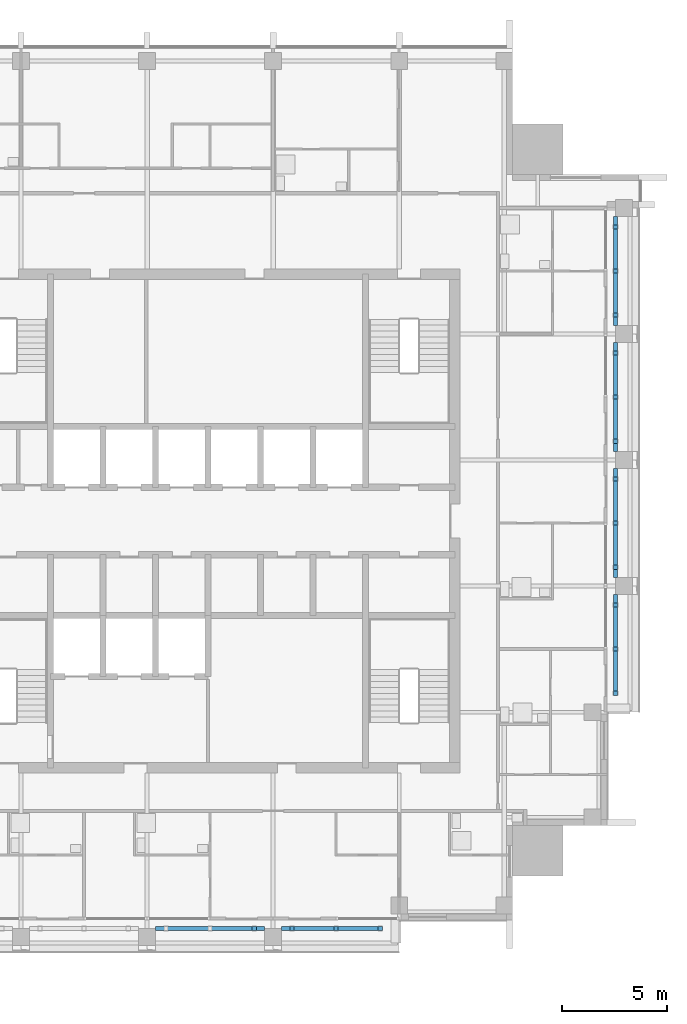
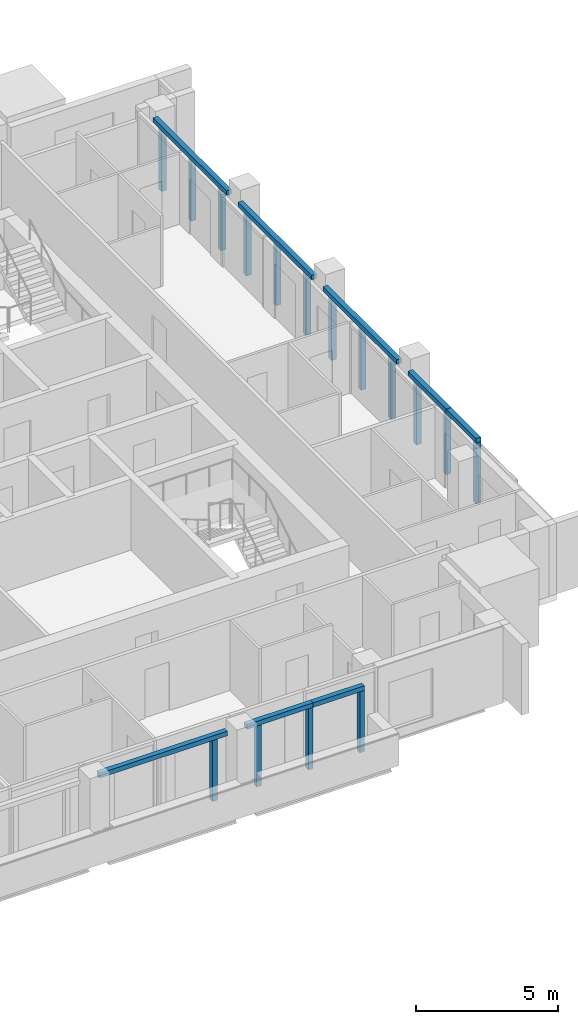
# One storey, part 12 of 15: 24 discrete accessories.
"""IFC4 building model written with IfcOpenShell, lengths in metres."""

from ifc_helpers import new_model, si_unit, direction, frame, origin, origin_2d, place, context, subcontext, project, spatial, rectangle, extrude, element, save


model = new_model("IFC4")

# Units and contexts
model_context = context("Model", 3, precision=1e-05, world=origin(), true_north=direction((0.0, 1.0)))
body_context = subcontext(model_context, "Body", "Model", "MODEL_VIEW")
ifc_project = project(units=[si_unit("LENGTHUNIT", "METRE"), si_unit("AREAUNIT", "SQUARE_METRE"), si_unit("VOLUMEUNIT", "CUBIC_METRE"), si_unit("PLANEANGLEUNIT", "RADIAN"), si_unit("MASSUNIT", "GRAM", prefix="KILO")], contexts=[model_context])

# Site, building, storey
site_placement = place(None, origin())
site = spatial("IfcSite", under=ifc_project, at=site_placement, CompositionType="ELEMENT")
building_placement = place(site_placement, origin())
building = spatial("IfcBuilding", under=site, at=building_placement, Name="Amberfall Residences", CompositionType="ELEMENT")
storey_placement = place(building_placement, frame((0.0, 0.0, 268.60009765625)))
storey = spatial("IfcBuildingStorey", under=building, at=storey_placement, Name="L72", CompositionType="ELEMENT", Elevation=268.60009765625)

# Discrete accessories
discrete_accessory_1_placement = place(storey_placement, frame((76.699951171875, 26.10009765625, 0.0), z_axis=(0.0, 0.0, 1.0), x_axis=(1.0, 0.0, 0.0)))
element("IfcDiscreteAccessory", 1, at=discrete_accessory_1_placement, inside=storey, Name="Trellis post L72 S3.3", ObjectType="TRELLIS POST", PredefinedType="USERDEFINED", context=body_context, shape_type="SweptSolid", body=[
    extrude(rectangle(XDim=0.199951171875, YDim=0.199951171875, at=origin_2d()), origin(), (0.0, 0.0, 1.0), 2.6298828125),
])
discrete_accessory_2_placement = place(storey_placement, frame((74.60009765625, 26.10009765625, 2.6298828125), z_axis=(0.0, 0.0, 1.0), x_axis=(1.0, 0.0, 0.0)))
element("IfcDiscreteAccessory", 2, at=discrete_accessory_2_placement, inside=storey, Name="Trellis beam L72 S3.e1", ObjectType="TRELLIS BEAM", PredefinedType="USERDEFINED", context=body_context, shape_type="SweptSolid", body=[
    extrude(rectangle(XDim=5.199951171875, YDim=0.199951171875, at=origin_2d()), origin(), (0.0, 0.0, 1.0), 0.199951171875),
])
for number, where, z_axis, x_axis, name in (
    (3, (78.5, 26.10009765625, 0.0), (0.0, 0.0, 1.0), (1.0, 0.0, 0.0), "Trellis post L72 S4.1"),
    (4, (80.60009765625, 26.10009765625, 0.0), (0.0, 0.0, 1.0), (1.0, 0.0, 0.0), "Trellis post L72 S4.2"),
    (5, (82.699951171875, 26.10009765625, 0.0), (0.0, 0.0, 1.0), (1.0, 0.0, 0.0), "Trellis post L72 S4.3"),
):
    element("IfcDiscreteAccessory", number, at=place(storey_placement, frame(where, z_axis=z_axis, x_axis=x_axis)), inside=storey, Name=name, ObjectType="TRELLIS POST", PredefinedType="USERDEFINED", context=body_context, shape_type="SweptSolid", body=[
        extrude(rectangle(XDim=0.199951171875, YDim=0.199951171875, at=origin_2d()), origin(), (0.0, 0.0, 1.0), 2.6298828125),
    ])
discrete_accessory_3_placement = place(storey_placement, frame((79.35009765625, 26.10009765625, 2.6298828125), z_axis=(0.0, 0.0, 1.0), x_axis=(1.0, 0.0, 0.0)))
element("IfcDiscreteAccessory", 6, at=discrete_accessory_3_placement, inside=storey, Name="Trellis beam L72 S4.e1", ObjectType="TRELLIS BEAM", PredefinedType="USERDEFINED", context=body_context, shape_type="SweptSolid", body=[
    extrude(rectangle(XDim=2.699951171875, YDim=0.199951171875, at=origin_2d()), origin(), (0.0, 0.0, 1.0), 0.199951171875),
])
discrete_accessory_4_placement = place(storey_placement, frame((81.75, 26.10009765625, 2.6298828125), z_axis=(0.0, 0.0, 1.0), x_axis=(1.0, 0.0, 0.0)))
element("IfcDiscreteAccessory", 7, at=discrete_accessory_4_placement, inside=storey, Name="Trellis beam L72 S4.e1.2", ObjectType="TRELLIS BEAM", PredefinedType="USERDEFINED", context=body_context, shape_type="SweptSolid", body=[
    extrude(rectangle(XDim=2.10009765625, YDim=0.199951171875, at=origin_2d()), origin(), (0.0, 0.0, 1.0), 0.199951171875),
])
for number, where, z_axis, x_axis, name in (
    (8, (93.89990234375, 37.300048828125, 0.0), (0.0, 0.0, 1.0), (1.0, 0.0, 0.0), "Trellis post L72 E2.1"),
    (9, (93.89990234375, 39.39990234375, 0.0), (0.0, 0.0, 1.0), (1.0, 0.0, 0.0), "Trellis post L72 E2.2"),
    (10, (93.89990234375, 41.5, 0.0), (0.0, 0.0, 1.0), (1.0, 0.0, 0.0), "Trellis post L72 E2.3"),
):
    element("IfcDiscreteAccessory", number, at=place(storey_placement, frame(where, z_axis=z_axis, x_axis=x_axis)), inside=storey, Name=name, ObjectType="TRELLIS POST", PredefinedType="USERDEFINED", context=body_context, shape_type="SweptSolid", body=[
        extrude(rectangle(XDim=0.199951171875, YDim=0.199951171875, at=origin_2d()), origin(), (0.0, 0.0, 1.0), 2.6298828125),
    ])
discrete_accessory_5_placement = place(storey_placement, frame((93.89990234375, 40.64990234375, 2.6298828125), z_axis=(0.0, 0.0, 1.0), x_axis=(0.0, 1.0, 0.0)))
element("IfcDiscreteAccessory", 11, at=discrete_accessory_5_placement, inside=storey, Name="Trellis beam L72 E2.e1", ObjectType="TRELLIS BEAM", PredefinedType="USERDEFINED", context=body_context, shape_type="SweptSolid", body=[
    extrude(rectangle(XDim=2.699951171875, YDim=0.199951171875, at=origin_2d()), origin(), (0.0, 0.0, 1.0), 0.199951171875),
])
discrete_accessory_6_placement = place(storey_placement, frame((93.89990234375, 38.25, 2.6298828125), z_axis=(0.0, 0.0, 1.0), x_axis=(0.0, 1.0, 0.0)))
element("IfcDiscreteAccessory", 12, at=discrete_accessory_6_placement, inside=storey, Name="Trellis beam L72 E2.e1.2", ObjectType="TRELLIS BEAM", PredefinedType="USERDEFINED", context=body_context, shape_type="SweptSolid", body=[
    extrude(rectangle(XDim=2.10009765625, YDim=0.199951171875, at=origin_2d()), origin(), (0.0, 0.0, 1.0), 0.199951171875),
])
for number, where, z_axis, x_axis, name in (
    (13, (93.89990234375, 43.300048828125, 0.0), (0.0, 0.0, 1.0), (1.0, 0.0, 0.0), "Trellis post L72 E3.1"),
    (14, (93.89990234375, 45.39990234375, 0.0), (0.0, 0.0, 1.0), (1.0, 0.0, 0.0), "Trellis post L72 E3.2"),
    (15, (93.89990234375, 47.5, 0.0), (0.0, 0.0, 1.0), (1.0, 0.0, 0.0), "Trellis post L72 E3.3"),
):
    element("IfcDiscreteAccessory", number, at=place(storey_placement, frame(where, z_axis=z_axis, x_axis=x_axis)), inside=storey, Name=name, ObjectType="TRELLIS POST", PredefinedType="USERDEFINED", context=body_context, shape_type="SweptSolid", body=[
        extrude(rectangle(XDim=0.199951171875, YDim=0.199951171875, at=origin_2d()), origin(), (0.0, 0.0, 1.0), 2.6298828125),
    ])
discrete_accessory_7_placement = place(storey_placement, frame((93.89990234375, 45.39990234375, 2.6298828125), z_axis=(0.0, 0.0, 1.0), x_axis=(0.0, 1.0, 0.0)))
element("IfcDiscreteAccessory", 16, at=discrete_accessory_7_placement, inside=storey, Name="Trellis beam L72 E3.e1", ObjectType="TRELLIS BEAM", PredefinedType="USERDEFINED", context=body_context, shape_type="SweptSolid", body=[
    extrude(rectangle(XDim=5.199951171875, YDim=0.199951171875, at=origin_2d()), origin(), (0.0, 0.0, 1.0), 0.199951171875),
])
for number, where, z_axis, x_axis, name in (
    (17, (93.89990234375, 49.300048828125, 0.0), (0.0, 0.0, 1.0), (1.0, 0.0, 0.0), "Trellis post L72 E4.1"),
    (18, (93.89990234375, 51.39990234375, 0.0), (0.0, 0.0, 1.0), (1.0, 0.0, 0.0), "Trellis post L72 E4.2"),
    (19, (93.89990234375, 53.5, 0.0), (0.0, 0.0, 1.0), (1.0, 0.0, 0.0), "Trellis post L72 E4.3"),
):
    element("IfcDiscreteAccessory", number, at=place(storey_placement, frame(where, z_axis=z_axis, x_axis=x_axis)), inside=storey, Name=name, ObjectType="TRELLIS POST", PredefinedType="USERDEFINED", context=body_context, shape_type="SweptSolid", body=[
        extrude(rectangle(XDim=0.199951171875, YDim=0.199951171875, at=origin_2d()), origin(), (0.0, 0.0, 1.0), 2.6298828125),
    ])
discrete_accessory_8_placement = place(storey_placement, frame((93.89990234375, 51.39990234375, 2.6298828125), z_axis=(0.0, 0.0, 1.0), x_axis=(0.0, 1.0, 0.0)))
element("IfcDiscreteAccessory", 20, at=discrete_accessory_8_placement, inside=storey, Name="Trellis beam L72 E4.e1", ObjectType="TRELLIS BEAM", PredefinedType="USERDEFINED", context=body_context, shape_type="SweptSolid", body=[
    extrude(rectangle(XDim=5.199951171875, YDim=0.199951171875, at=origin_2d()), origin(), (0.0, 0.0, 1.0), 0.199951171875),
])
for number, where, z_axis, x_axis, name in (
    (21, (93.89990234375, 55.300048828125, 0.0), (0.0, 0.0, 1.0), (1.0, 0.0, 0.0), "Trellis post L72 E5.1"),
    (22, (93.89990234375, 57.39990234375, 0.0), (0.0, 0.0, 1.0), (1.0, 0.0, 0.0), "Trellis post L72 E5.2"),
    (23, (93.89990234375, 59.5, 0.0), (0.0, 0.0, 1.0), (1.0, 0.0, 0.0), "Trellis post L72 E5.3"),
):
    element("IfcDiscreteAccessory", number, at=place(storey_placement, frame(where, z_axis=z_axis, x_axis=x_axis)), inside=storey, Name=name, ObjectType="TRELLIS POST", PredefinedType="USERDEFINED", context=body_context, shape_type="SweptSolid", body=[
        extrude(rectangle(XDim=0.199951171875, YDim=0.199951171875, at=origin_2d()), origin(), (0.0, 0.0, 1.0), 2.6298828125),
    ])
discrete_accessory_9_placement = place(storey_placement, frame((93.89990234375, 57.39990234375, 2.6298828125), z_axis=(0.0, 0.0, 1.0), x_axis=(0.0, 1.0, 0.0)))
element("IfcDiscreteAccessory", 24, at=discrete_accessory_9_placement, inside=storey, Name="Trellis beam L72 E5.e1", ObjectType="TRELLIS BEAM", PredefinedType="USERDEFINED", context=body_context, shape_type="SweptSolid", body=[
    extrude(rectangle(XDim=5.199951171875, YDim=0.199951171875, at=origin_2d()), origin(), (0.0, 0.0, 1.0), 0.199951171875),
])

save(model, "model.ifc")
